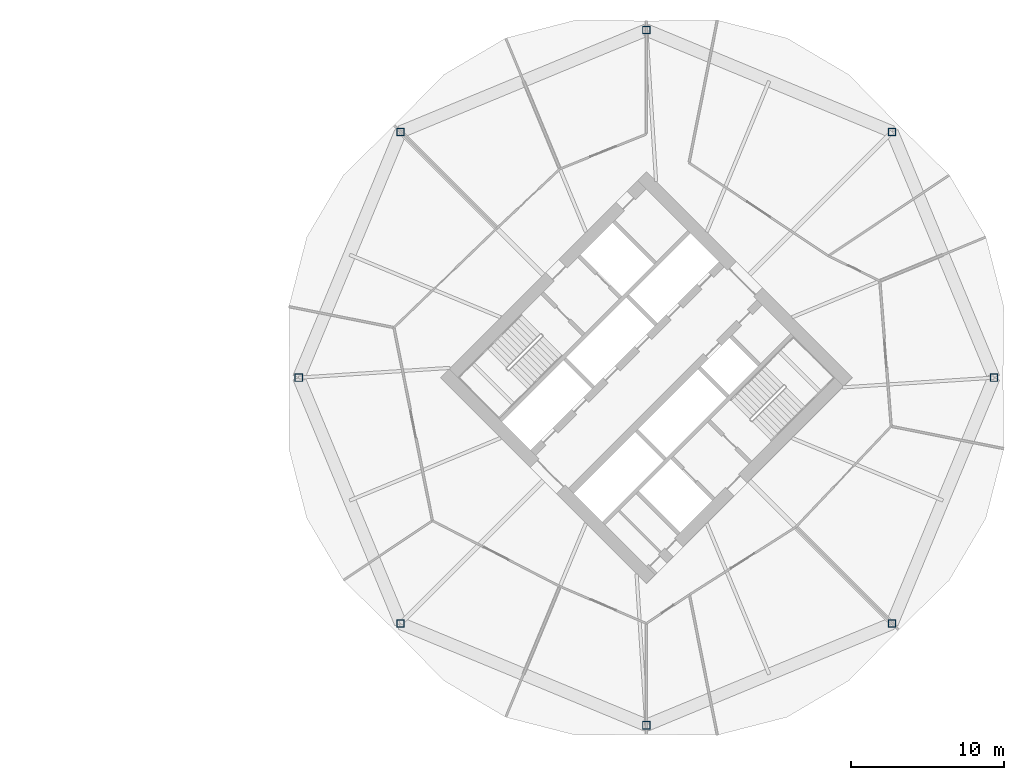
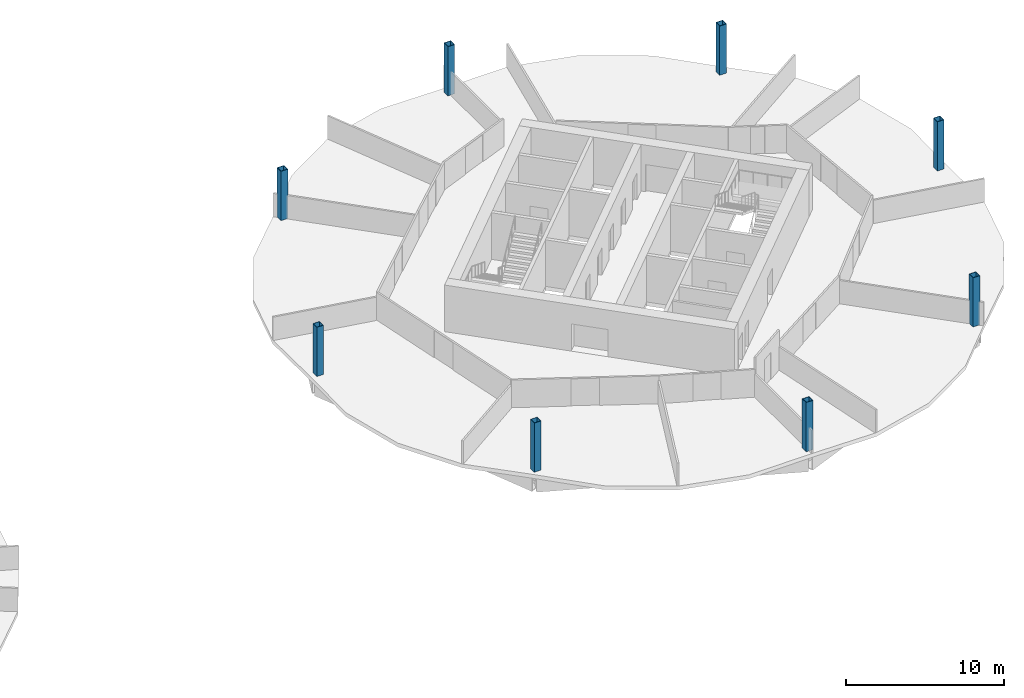
# One storey, part 2 of 9: 8 columns.
"""IFC4 building model written with IfcOpenShell, lengths in metres."""

from ifc_helpers import new_model, si_unit, direction, frame, origin, origin_2d, place, context, subcontext, project, spatial, hollow_rectangle, extrude, material, material_profile, profile_set, type_object, element, save


model = new_model("IFC4")

# Units and contexts
model_context = context("Model", 3, precision=1e-05, world=origin(), true_north=direction((0.0, 1.0)))
body_context = subcontext(model_context, "Body", "Model", "MODEL_VIEW")
ifc_project = project(units=[si_unit("LENGTHUNIT", "METRE"), si_unit("AREAUNIT", "SQUARE_METRE"), si_unit("VOLUMEUNIT", "CUBIC_METRE"), si_unit("PLANEANGLEUNIT", "RADIAN"), si_unit("MASSUNIT", "GRAM", prefix="KILO")], contexts=[model_context])

# Site, building, storey
site_placement = place(None, origin())
site = spatial("IfcSite", under=ifc_project, at=site_placement, CompositionType="ELEMENT")
building_placement = place(site_placement, origin())
building = spatial("IfcBuilding", under=site, at=building_placement, Name="Ogive Gate Towers", CompositionType="ELEMENT")
storey_placement = place(building_placement, frame((0.0, 0.0, 91.800048828125)))
storey = spatial("IfcBuildingStorey", under=building, at=storey_placement, Name="L21", CompositionType="ELEMENT", Elevation=91.800048828125)

# Columns
ifc_material = material(Name="Steel SM460", Category="steel")
ifc_material_profile = material_profile(ifc_material, hollow_rectangle(XDim=0.5, YDim=0.5, WallThickness=0.030029296875, at=origin_2d()), Name="BX 500x500x30")
ifc_profile_set = profile_set([ifc_material_profile], Name="Steel SM460")
column_type = type_object("IfcColumnType", Name="Perimeter post BX 500x500x30", PredefinedType="COLUMN", material=ifc_profile_set)
for number, where, z_axis, x_axis, name in (
    (1, (58.669921875, 0.0, 0.0), (0.0, 0.0, 1.0), (1.0, 0.0, 0.0), "T2/L21/SCL001"),
    (2, (52.030029296875, 16.030029296875, 0.0), (0.0, 0.0, 1.0), (1.0, 0.0, 0.0), "T2/L21/SCL002"),
    (3, (36.0, 22.669921875, 0.0), (0.0, 0.0, 1.0), (1.0, 0.0, 0.0), "T2/L21/SCL003"),
    (4, (19.969970703125, 16.030029296875, 0.0), (0.0, 0.0, 1.0), (1.0, 0.0, 0.0), "T2/L21/SCL004"),
    (5, (13.330078125, 0.0, 0.0), (0.0, 0.0, 1.0), (1.0, 0.0, 0.0), "T2/L21/SCL005"),
    (6, (19.969970703125, -16.030029296875, 0.0), (0.0, 0.0, 1.0), (1.0, 0.0, 0.0), "T2/L21/SCL006"),
    (7, (36.0, -22.669921875, 0.0), (0.0, 0.0, 1.0), (1.0, 0.0, 0.0), "T2/L21/SCL007"),
    (8, (52.030029296875, -16.030029296875, 0.0), (0.0, 0.0, 1.0), (1.0, 0.0, 0.0), "T2/L21/SCL008"),
):
    element("IfcColumn", number, at=place(storey_placement, frame(where, z_axis=z_axis, x_axis=x_axis)), inside=storey, type_object=column_type, Name=name, PredefinedType="COLUMN", context=body_context, shape_type="SweptSolid", body=[
        extrude(hollow_rectangle(XDim=0.5, YDim=0.5, WallThickness=0.030029296875, at=origin_2d()), origin(), (0.0, 0.0, 1.0), 3.800048828125),
    ])

save(model, "model.ifc")
